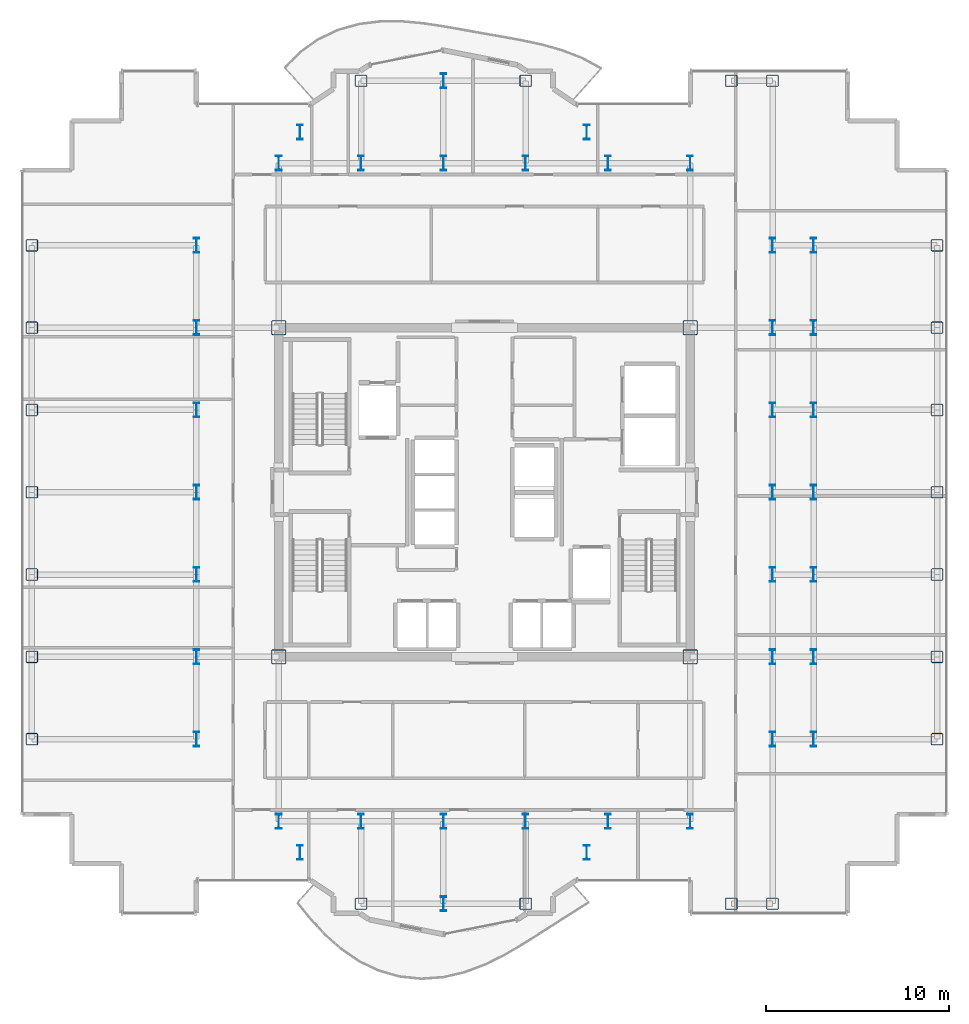
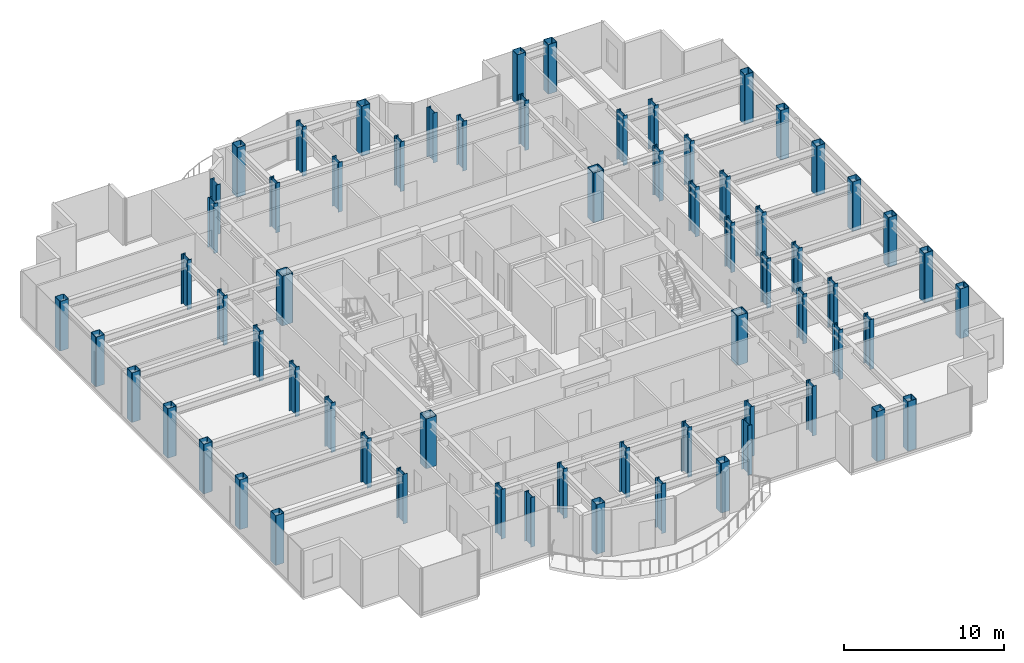
# One storey, part 1 of 21: 65 columns.
"""IFC4 building model written with IfcOpenShell, lengths in metres."""

from ifc_helpers import new_model, si_unit, direction, frame, origin, origin_2d, place, context, subcontext, project, spatial, hollow_rectangle, i_section, extrude, source, transform, mapped, material, material_profile, profile_set, type_object, element, save


model = new_model("IFC4")

# Units and contexts
model_context = context("Model", 3, precision=1e-05, world=origin(), true_north=direction((0.0, 1.0)))
body_context = subcontext(model_context, "Body", "Model", "MODEL_VIEW")
ifc_project = project(units=[si_unit("LENGTHUNIT", "METRE"), si_unit("AREAUNIT", "SQUARE_METRE"), si_unit("VOLUMEUNIT", "CUBIC_METRE"), si_unit("PLANEANGLEUNIT", "RADIAN"), si_unit("MASSUNIT", "GRAM", prefix="KILO")], contexts=[model_context])

# Site, building, storey
site_placement = place(None, origin())
site = spatial("IfcSite", under=ifc_project, at=site_placement, CompositionType="ELEMENT")
building_placement = place(site_placement, origin())
building = spatial("IfcBuilding", under=site, at=building_placement, Name="Nefas-Gora Pilgrimage Tower", CompositionType="ELEMENT")
storey_placement = place(building_placement, frame((0.0, 0.0, 233.199951171875)))
storey = spatial("IfcBuildingStorey", under=building, at=storey_placement, Name="L58", CompositionType="ELEMENT", Elevation=233.199951171875)

# Columns
ifc_material = material(Name="Steel S460", Category="steel")
ifc_material_profile_1 = material_profile(ifc_material, i_section(OverallWidth=0.302978515625, OverallDepth=0.81396484375, WebThickness=0.02099609375, FlangeThickness=0.0400390625, FilletRadius=0.030029296875, at=origin_2d()), Name="HEM 800")
ifc_profile_set_1 = profile_set([ifc_material_profile_1], Name="Steel S460")
column_type_1 = type_object("IfcColumnType", Name="COL-WEB-HEM800", PredefinedType="COLUMN", material=ifc_profile_set_1)
shared_shape_1 = source(origin(), body_context, "Body", "SweptSolid", [
    extrude(i_section(OverallWidth=0.302978515625, OverallDepth=0.81396484375, WebThickness=0.02099609375, FlangeThickness=0.0400390625, FilletRadius=0.030029296875, at=origin_2d()), origin(), (0.0, 0.0, 1.0), 3.800048828125),
])
for number, where, z_axis, x_axis, name in (
    (1, (-15.75, -13.5, 0.0), (0.0, 0.0, 1.0), (1.0, 0.0, 0.0), "L58 Tower Column CW-02.8"),
    (2, (-15.75, -9.0, 0.0), (0.0, 0.0, 1.0), (1.0, 0.0, 0.0), "L58 Tower Column CW-02.9"),
    (3, (-15.75, -4.5, 0.0), (0.0, 0.0, 1.0), (1.0, 0.0, 0.0), "L58 Tower Column CW-02.10"),
    (4, (-15.75, 0.0, 0.0), (0.0, 0.0, 1.0), (1.0, 0.0, 0.0), "L58 Tower Column CW-02.11"),
    (5, (-15.75, 4.5, 0.0), (0.0, 0.0, 1.0), (1.0, 0.0, 0.0), "L58 Tower Column CW-02.12"),
    (6, (-15.75, 9.0, 0.0), (0.0, 0.0, 1.0), (1.0, 0.0, 0.0), "L58 Tower Column CW-02.13"),
    (7, (-15.75, 13.5, 0.0), (0.0, 0.0, 1.0), (1.0, 0.0, 0.0), "L58 Tower Column CW-02.14"),
    (8, (-11.25, -18.0, 0.0), (0.0, 0.0, 1.0), (1.0, 0.0, 0.0), "L58 Tower Column CW-02.15"),
    (9, (-11.25, 18.0, 0.0), (0.0, 0.0, 1.0), (1.0, 0.0, 0.0), "L58 Tower Column CW-02.18"),
    (10, (-10.091064453125, -19.696044921875, 0.0), (0.0, 0.0, 1.0), (1.0, 0.0, 0.0), "L58 Tower Column CW-02.19"),
    (11, (-10.091064453125, 19.696044921875, 0.0), (0.0, 0.0, 1.0), (1.0, 0.0, 0.0), "L58 Tower Column CW-02.20"),
    (12, (-6.75, -18.0, 0.0), (0.0, 0.0, 1.0), (1.0, 0.0, 0.0), "L58 Tower Column CW-02.22"),
    (13, (-6.75, 18.0, 0.0), (0.0, 0.0, 1.0), (1.0, 0.0, 0.0), "L58 Tower Column CW-02.23"),
    (14, (-2.25, -22.5, 0.0), (0.0, 0.0, 1.0), (1.0, 0.0, 0.0), "L58 Tower Column CW-02.25"),
    (15, (-2.25, -18.0, 0.0), (0.0, 0.0, 1.0), (1.0, 0.0, 0.0), "L58 Tower Column CW-02.26"),
    (16, (-2.25, 18.0, 0.0), (0.0, 0.0, 1.0), (1.0, 0.0, 0.0), "L58 Tower Column CW-02.27"),
    (17, (-2.25, 22.5, 0.0), (0.0, 0.0, 1.0), (1.0, 0.0, 0.0), "L58 Tower Column CW-02.28"),
    (18, (2.25, -18.0, 0.0), (0.0, 0.0, 1.0), (1.0, 0.0, 0.0), "L58 Tower Column CW-02.30"),
    (19, (2.25, 18.0, 0.0), (0.0, 0.0, 1.0), (1.0, 0.0, 0.0), "L58 Tower Column CW-02.31"),
    (20, (5.591064453125, -19.696044921875, 0.0), (0.0, 0.0, 1.0), (1.0, 0.0, 0.0), "L58 Tower Column CW-02.33"),
    (21, (5.591064453125, 19.696044921875, 0.0), (0.0, 0.0, 1.0), (1.0, 0.0, 0.0), "L58 Tower Column CW-02.34"),
    (22, (6.75, -18.0, 0.0), (0.0, 0.0, 1.0), (1.0, 0.0, 0.0), "L58 Tower Column CW-02.35"),
    (23, (6.75, 18.0, 0.0), (0.0, 0.0, 1.0), (1.0, 0.0, 0.0), "L58 Tower Column CW-02.36"),
    (24, (11.25, -18.0, 0.0), (0.0, 0.0, 1.0), (1.0, 0.0, 0.0), "L58 Tower Column CW-02.37"),
    (25, (11.25, 18.0, 0.0), (0.0, 0.0, 1.0), (1.0, 0.0, 0.0), "L58 Tower Column CW-02.40"),
    (26, (15.75, -13.5, 0.0), (0.0, 0.0, 1.0), (1.0, 0.0, 0.0), "L58 Tower Column CW-02.44"),
    (27, (15.75, -9.0, 0.0), (0.0, 0.0, 1.0), (1.0, 0.0, 0.0), "L58 Tower Column CW-02.45"),
    (28, (15.75, -4.5, 0.0), (0.0, 0.0, 1.0), (1.0, 0.0, 0.0), "L58 Tower Column CW-02.46"),
    (29, (15.75, 0.0, 0.0), (0.0, 0.0, 1.0), (1.0, 0.0, 0.0), "L58 Tower Column CW-02.47"),
    (30, (15.75, 4.5, 0.0), (0.0, 0.0, 1.0), (1.0, 0.0, 0.0), "L58 Tower Column CW-02.48"),
    (31, (15.75, 9.0, 0.0), (0.0, 0.0, 1.0), (1.0, 0.0, 0.0), "L58 Tower Column CW-02.49"),
    (32, (15.75, 13.5, 0.0), (0.0, 0.0, 1.0), (1.0, 0.0, 0.0), "L58 Tower Column CW-02.50"),
    (33, (18.0, -13.5, 0.0), (0.0, 0.0, 1.0), (1.0, 0.0, 0.0), "L58 Tower Column CW-02.52"),
    (34, (18.0, -9.0, 0.0), (0.0, 0.0, 1.0), (1.0, 0.0, 0.0), "L58 Tower Column CW-02.53"),
    (35, (18.0, -4.5, 0.0), (0.0, 0.0, 1.0), (1.0, 0.0, 0.0), "L58 Tower Column CW-02.54"),
    (36, (18.0, 0.0, 0.0), (0.0, 0.0, 1.0), (1.0, 0.0, 0.0), "L58 Tower Column CW-02.55"),
    (37, (18.0, 4.5, 0.0), (0.0, 0.0, 1.0), (1.0, 0.0, 0.0), "L58 Tower Column CW-02.56"),
    (38, (18.0, 9.0, 0.0), (0.0, 0.0, 1.0), (1.0, 0.0, 0.0), "L58 Tower Column CW-02.57"),
    (39, (18.0, 13.5, 0.0), (0.0, 0.0, 1.0), (1.0, 0.0, 0.0), "L58 Tower Column CW-02.58"),
):
    element("IfcColumn", number, at=place(storey_placement, frame(where, z_axis=z_axis, x_axis=x_axis)), inside=storey, type_object=column_type_1, Name=name, PredefinedType="COLUMN", context=body_context, shape_type="MappedRepresentation", body=[
        mapped(shared_shape_1, transform((0.0, 0.0, 0.0), x_axis=(1.0, 0.0, 0.0), y_axis=(0.0, 1.0, 0.0), z_axis=(0.0, 0.0, 1.0), scale=1.0)),
    ])
ifc_material_profile_2 = material_profile(ifc_material, hollow_rectangle(XDim=0.800048828125, YDim=0.800048828125, WallThickness=0.0400390625, InnerFilletRadius=0.0400390625, OuterFilletRadius=0.080078125, at=origin_2d()), Name="BOX 800x800x40")
ifc_profile_set_2 = profile_set([ifc_material_profile_2], Name="Steel S460")
column_type_2 = type_object("IfcColumnType", Name="COL-CORE-800", PredefinedType="COLUMN", material=ifc_profile_set_2)
shared_shape_2 = source(origin(), body_context, "Body", "SweptSolid", [
    extrude(hollow_rectangle(XDim=0.800048828125, YDim=0.800048828125, WallThickness=0.0400390625, InnerFilletRadius=0.0400390625, OuterFilletRadius=0.080078125, at=origin_2d()), origin(), (0.0, 0.0, 1.0), 3.800048828125),
])
for number, where, z_axis, x_axis, name in (
    (40, (-11.25, -9.0, 0.0), (0.0, 0.0, 1.0), (1.0, 0.0, 0.0), "L58 Tower Column CC-Z2.16"),
    (41, (-11.25, 9.0, 0.0), (0.0, 0.0, 1.0), (1.0, 0.0, 0.0), "L58 Tower Column CC-Z2.17"),
    (42, (11.25, -9.0, 0.0), (0.0, 0.0, 1.0), (1.0, 0.0, 0.0), "L58 Tower Column CC-Z2.38"),
    (43, (11.25, 9.0, 0.0), (0.0, 0.0, 1.0), (1.0, 0.0, 0.0), "L58 Tower Column CC-Z2.39"),
):
    element("IfcColumn", number, at=place(storey_placement, frame(where, z_axis=z_axis, x_axis=x_axis)), inside=storey, type_object=column_type_2, Name=name, PredefinedType="COLUMN", context=body_context, shape_type="MappedRepresentation", body=[
        mapped(shared_shape_2, transform((0.0, 0.0, 0.0), x_axis=(1.0, 0.0, 0.0), y_axis=(0.0, 1.0, 0.0), z_axis=(0.0, 0.0, 1.0), scale=1.0)),
    ])
ifc_material_profile_3 = material_profile(ifc_material, hollow_rectangle(XDim=0.64990234375, YDim=0.64990234375, WallThickness=0.031982421875, InnerFilletRadius=0.031982421875, OuterFilletRadius=0.06396484375, at=origin_2d()), Name="BOX 650x650x32")
ifc_profile_set_3 = profile_set([ifc_material_profile_3], Name="Steel S460")
column_type_3 = type_object("IfcColumnType", Name="COL-TUBE-650", PredefinedType="COLUMN", material=ifc_profile_set_3)
shared_shape_3 = source(origin(), body_context, "Body", "SweptSolid", [
    extrude(hollow_rectangle(XDim=0.64990234375, YDim=0.64990234375, WallThickness=0.031982421875, InnerFilletRadius=0.031982421875, OuterFilletRadius=0.06396484375, at=origin_2d()), origin(), (0.0, 0.0, 1.0), 3.800048828125),
])
for number, where, z_axis, x_axis, name in (
    (44, (-24.75, -13.5, 0.0), (0.0, 0.0, 1.0), (1.0, 0.0, 0.0), "L58 Tower Column C-Z3.1"),
    (45, (-24.75, -9.0, 0.0), (0.0, 0.0, 1.0), (1.0, 0.0, 0.0), "L58 Tower Column C-Z3.2"),
    (46, (-24.75, -4.5, 0.0), (0.0, 0.0, 1.0), (1.0, 0.0, 0.0), "L58 Tower Column C-Z3.3"),
    (47, (-24.75, 0.0, 0.0), (0.0, 0.0, 1.0), (1.0, 0.0, 0.0), "L58 Tower Column C-Z3.4"),
    (48, (-24.75, 4.5, 0.0), (0.0, 0.0, 1.0), (1.0, 0.0, 0.0), "L58 Tower Column C-Z3.5"),
    (49, (-24.75, 9.0, 0.0), (0.0, 0.0, 1.0), (1.0, 0.0, 0.0), "L58 Tower Column C-Z3.6"),
    (50, (-24.75, 13.5, 0.0), (0.0, 0.0, 1.0), (1.0, 0.0, 0.0), "L58 Tower Column C-Z3.7"),
    (51, (-6.75, -22.5, 0.0), (0.0, 0.0, 1.0), (1.0, 0.0, 0.0), "L58 Tower Column C-Z3.21"),
    (52, (-6.75, 22.5, 0.0), (0.0, 0.0, 1.0), (1.0, 0.0, 0.0), "L58 Tower Column C-Z3.24"),
    (53, (2.25, -22.5, 0.0), (0.0, 0.0, 1.0), (1.0, 0.0, 0.0), "L58 Tower Column C-Z3.29"),
    (54, (2.25, 22.5, 0.0), (0.0, 0.0, 1.0), (1.0, 0.0, 0.0), "L58 Tower Column C-Z3.32"),
    (55, (13.5, -22.5, 0.0), (0.0, 0.0, 1.0), (1.0, 0.0, 0.0), "L58 Tower Column C-Z3.41"),
    (56, (13.5, 22.5, 0.0), (0.0, 0.0, 1.0), (1.0, 0.0, 0.0), "L58 Tower Column C-Z3.42"),
    (57, (15.75, -22.5, 0.0), (0.0, 0.0, 1.0), (1.0, 0.0, 0.0), "L58 Tower Column C-Z3.43"),
    (58, (15.75, 22.5, 0.0), (0.0, 0.0, 1.0), (1.0, 0.0, 0.0), "L58 Tower Column C-Z3.51"),
    (59, (24.75, -13.5, 0.0), (0.0, 0.0, 1.0), (1.0, 0.0, 0.0), "L58 Tower Column C-Z3.59"),
    (60, (24.75, -9.0, 0.0), (0.0, 0.0, 1.0), (1.0, 0.0, 0.0), "L58 Tower Column C-Z3.60"),
    (61, (24.75, -4.5, 0.0), (0.0, 0.0, 1.0), (1.0, 0.0, 0.0), "L58 Tower Column C-Z3.61"),
    (62, (24.75, 0.0, 0.0), (0.0, 0.0, 1.0), (1.0, 0.0, 0.0), "L58 Tower Column C-Z3.62"),
    (63, (24.75, 4.5, 0.0), (0.0, 0.0, 1.0), (1.0, 0.0, 0.0), "L58 Tower Column C-Z3.63"),
    (64, (24.75, 9.0, 0.0), (0.0, 0.0, 1.0), (1.0, 0.0, 0.0), "L58 Tower Column C-Z3.64"),
    (65, (24.75, 13.5, 0.0), (0.0, 0.0, 1.0), (1.0, 0.0, 0.0), "L58 Tower Column C-Z3.65"),
):
    element("IfcColumn", number, at=place(storey_placement, frame(where, z_axis=z_axis, x_axis=x_axis)), inside=storey, type_object=column_type_3, Name=name, PredefinedType="COLUMN", context=body_context, shape_type="MappedRepresentation", body=[
        mapped(shared_shape_3, transform((0.0, 0.0, 0.0), x_axis=(1.0, 0.0, 0.0), y_axis=(0.0, 1.0, 0.0), z_axis=(0.0, 0.0, 1.0), scale=1.0)),
    ])

save(model, "model.ifc")
